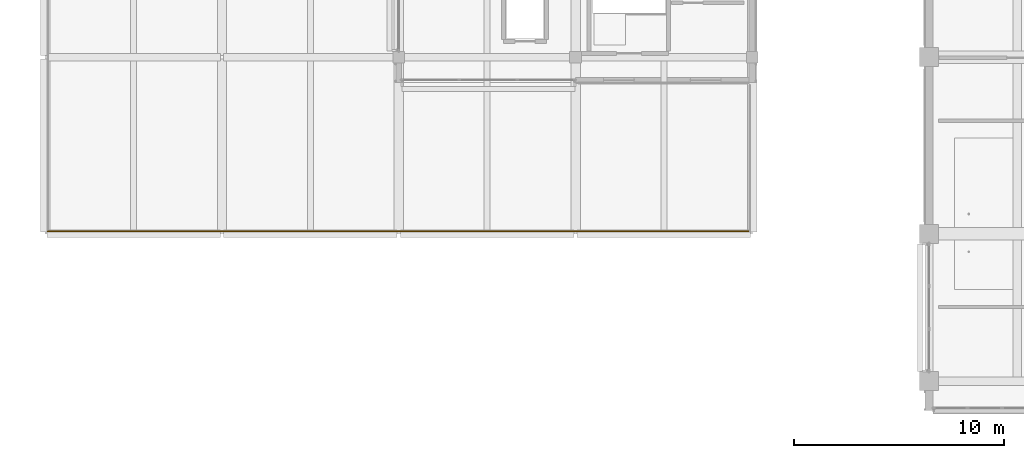
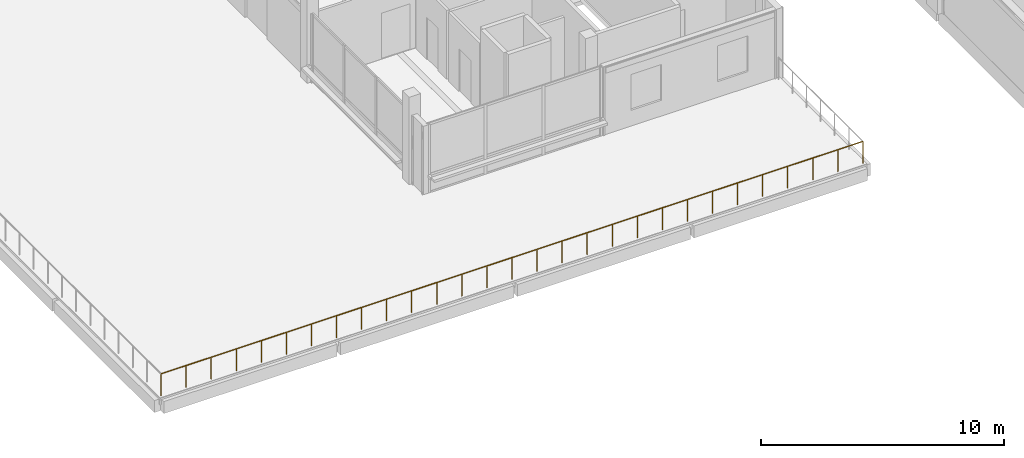
# One storey, part 36 of 59: 1 railing.
"""IFC4 building model written with IfcOpenShell, lengths in metres."""

from ifc_helpers import new_model, si_unit, direction, frame, origin, origin_2d, place, context, subcontext, project, spatial, circle, extrude, material, type_object, element, save


model = new_model("IFC4")

# Units and contexts
model_context = context("Model", 3, precision=1e-05, world=origin(), true_north=direction((0.0, 1.0)))
body_context = subcontext(model_context, "Body", "Model", "MODEL_VIEW")
ifc_project = project(units=[si_unit("LENGTHUNIT", "METRE"), si_unit("AREAUNIT", "SQUARE_METRE"), si_unit("VOLUMEUNIT", "CUBIC_METRE"), si_unit("PLANEANGLEUNIT", "RADIAN"), si_unit("MASSUNIT", "GRAM", prefix="KILO")], contexts=[model_context])

# Site, building, storey
site_placement = place(None, origin())
site = spatial("IfcSite", under=ifc_project, at=site_placement, CompositionType="ELEMENT")
building_placement = place(site_placement, origin())
building = spatial("IfcBuilding", under=site, at=building_placement, Name="Telukmera Botanical Conservatory", CompositionType="ELEMENT")
storey_placement = place(building_placement, frame((0.0, 0.0, 15.0)))
storey = spatial("IfcBuildingStorey", under=building, at=storey_placement, Name="L03", CompositionType="ELEMENT", Elevation=15.0)

# Railing
ifc_material = material(Name="Brushed stainless steel grade 316", Category="steel")
railing_type = type_object("IfcRailingType", Name="Exterior Terrace Safety Guardrail 1100", PredefinedType="GUARDRAIL", material=ifc_material)
railing_placement = place(storey_placement, frame((8.52001953125, 17.719970703125, 0.110107421875)))
element("IfcRailing", 1, at=railing_placement, inside=storey, type_object=railing_type, Name="Visitor Planted Terrace Guardrail L03 S", PredefinedType="GUARDRAIL", context=body_context, shape_type="SweptSolid", body=[
    extrude(circle(Radius=0.02392578125, at=origin_2d()), frame((0.0, 0.0, 1.09619140625), z_axis=(1.0, 0.0, 0.0), x_axis=(0.0, 1.0, 0.0)), (0.0, 0.0, 1.0), 33.35986328125),
    extrude(circle(Radius=0.02099609375, at=origin_2d()), origin(), (0.0, 0.0, 1.0), 1.072021484375),
    extrude(circle(Radius=0.02099609375, at=origin_2d()), frame((1.19140625, 0.0, 0.0)), (0.0, 0.0, 1.0), 1.072021484375),
    extrude(circle(Radius=0.02099609375, at=origin_2d()), frame((2.3828125, 0.0, 0.0)), (0.0, 0.0, 1.0), 1.072021484375),
    extrude(circle(Radius=0.02099609375, at=origin_2d()), frame((3.57421875, 0.0, 0.0)), (0.0, 0.0, 1.0), 1.072021484375),
    extrude(circle(Radius=0.02099609375, at=origin_2d()), frame((4.765625, 0.0, 0.0)), (0.0, 0.0, 1.0), 1.072021484375),
    extrude(circle(Radius=0.02099609375, at=origin_2d()), frame((5.95703125, 0.0, 0.0)), (0.0, 0.0, 1.0), 1.072021484375),
    extrude(circle(Radius=0.02099609375, at=origin_2d()), frame((7.1484375, 0.0, 0.0)), (0.0, 0.0, 1.0), 1.072021484375),
    extrude(circle(Radius=0.02099609375, at=origin_2d()), frame((8.33984375, 0.0, 0.0)), (0.0, 0.0, 1.0), 1.072021484375),
    extrude(circle(Radius=0.02099609375, at=origin_2d()), frame((9.531494140625, 0.0, 0.0)), (0.0, 0.0, 1.0), 1.072021484375),
    extrude(circle(Radius=0.02099609375, at=origin_2d()), frame((10.722900390625, 0.0, 0.0)), (0.0, 0.0, 1.0), 1.072021484375),
    extrude(circle(Radius=0.02099609375, at=origin_2d()), frame((11.914306640625, 0.0, 0.0)), (0.0, 0.0, 1.0), 1.072021484375),
    extrude(circle(Radius=0.02099609375, at=origin_2d()), frame((13.105712890625, 0.0, 0.0)), (0.0, 0.0, 1.0), 1.072021484375),
    extrude(circle(Radius=0.02099609375, at=origin_2d()), frame((14.297119140625, 0.0, 0.0)), (0.0, 0.0, 1.0), 1.072021484375),
    extrude(circle(Radius=0.02099609375, at=origin_2d()), frame((15.488525390625, 0.0, 0.0)), (0.0, 0.0, 1.0), 1.072021484375),
    extrude(circle(Radius=0.02099609375, at=origin_2d()), frame((16.679931640625, 0.0, 0.0)), (0.0, 0.0, 1.0), 1.072021484375),
    extrude(circle(Radius=0.02099609375, at=origin_2d()), frame((17.871337890625, 0.0, 0.0)), (0.0, 0.0, 1.0), 1.072021484375),
    extrude(circle(Radius=0.02099609375, at=origin_2d()), frame((19.062744140625, 0.0, 0.0)), (0.0, 0.0, 1.0), 1.072021484375),
    extrude(circle(Radius=0.02099609375, at=origin_2d()), frame((20.254150390625, 0.0, 0.0)), (0.0, 0.0, 1.0), 1.072021484375),
    extrude(circle(Radius=0.02099609375, at=origin_2d()), frame((21.445556640625, 0.0, 0.0)), (0.0, 0.0, 1.0), 1.072021484375),
    extrude(circle(Radius=0.02099609375, at=origin_2d()), frame((22.636962890625, 0.0, 0.0)), (0.0, 0.0, 1.0), 1.072021484375),
    extrude(circle(Radius=0.02099609375, at=origin_2d()), frame((23.828369140625, 0.0, 0.0)), (0.0, 0.0, 1.0), 1.072021484375),
    extrude(circle(Radius=0.02099609375, at=origin_2d()), frame((25.02001953125, 0.0, 0.0)), (0.0, 0.0, 1.0), 1.072021484375),
    extrude(circle(Radius=0.02099609375, at=origin_2d()), frame((26.21142578125, 0.0, 0.0)), (0.0, 0.0, 1.0), 1.072021484375),
    extrude(circle(Radius=0.02099609375, at=origin_2d()), frame((27.40283203125, 0.0, 0.0)), (0.0, 0.0, 1.0), 1.072021484375),
    extrude(circle(Radius=0.02099609375, at=origin_2d()), frame((28.59423828125, 0.0, 0.0)), (0.0, 0.0, 1.0), 1.072021484375),
    extrude(circle(Radius=0.02099609375, at=origin_2d()), frame((29.78564453125, 0.0, 0.0)), (0.0, 0.0, 1.0), 1.072021484375),
    extrude(circle(Radius=0.02099609375, at=origin_2d()), frame((30.97705078125, 0.0, 0.0)), (0.0, 0.0, 1.0), 1.072021484375),
    extrude(circle(Radius=0.02099609375, at=origin_2d()), frame((32.16845703125, 0.0, 0.0)), (0.0, 0.0, 1.0), 1.072021484375),
    extrude(circle(Radius=0.02099609375, at=origin_2d()), frame((33.35986328125, 0.0, 0.0)), (0.0, 0.0, 1.0), 1.072021484375),
])

save(model, "model.ifc")
